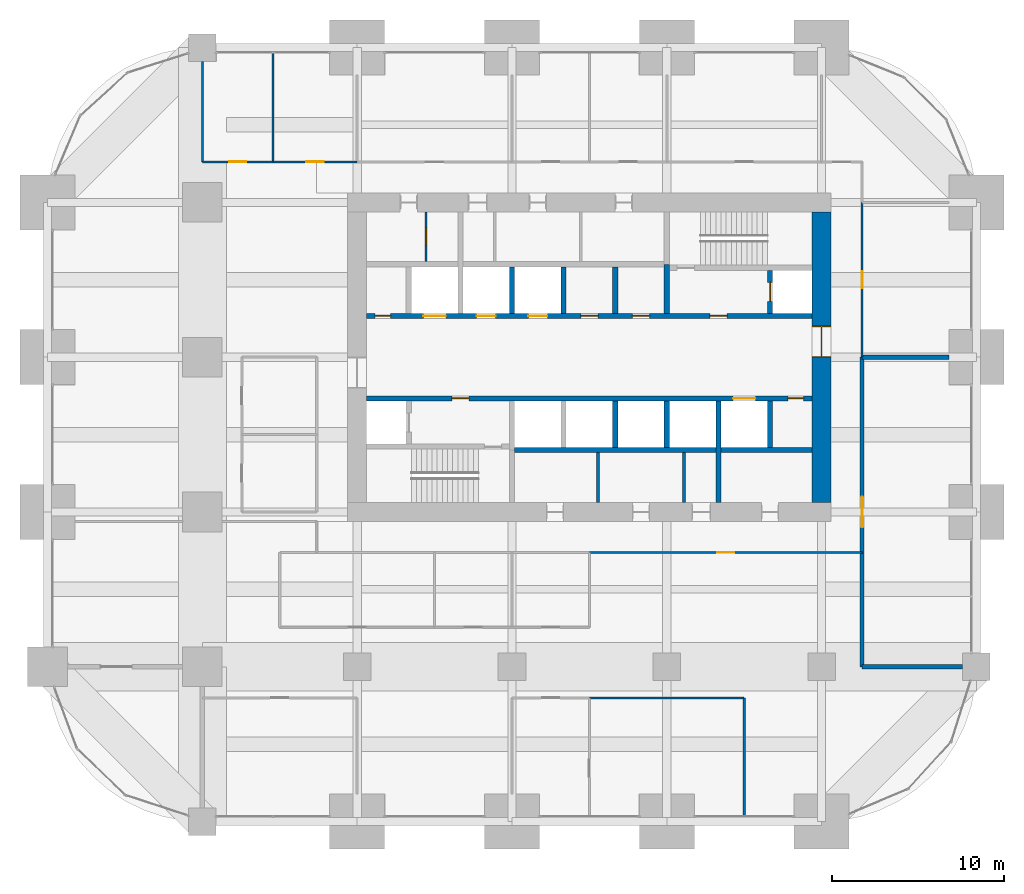
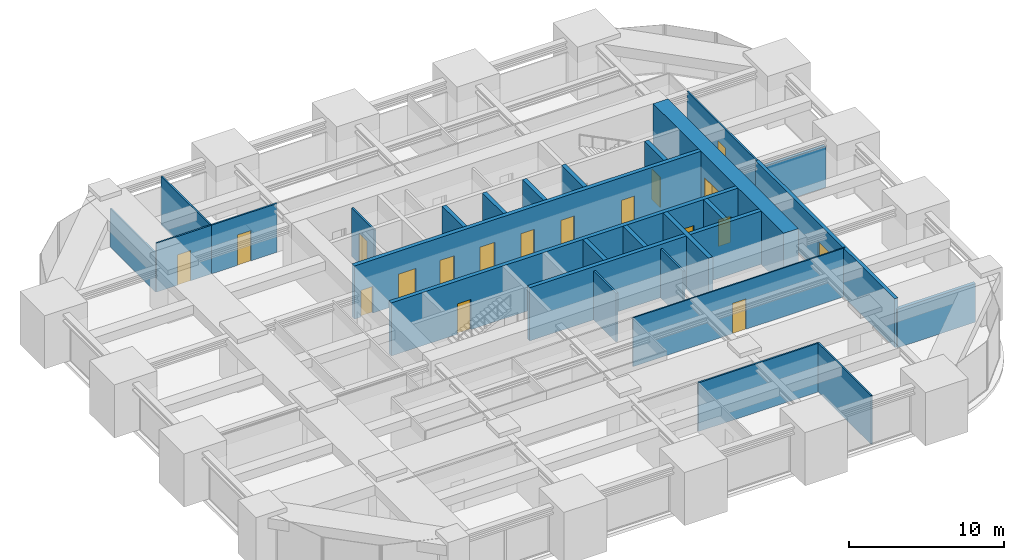
# One storey, part 37 of 39: 27 walls, 18 doors, 18 openings.
"""IFC4 building model written with IfcOpenShell, lengths in metres."""

from ifc_helpers import new_model, si_unit, direction, frame, frame_2d, origin, place, context, subcontext, project, spatial, rectangle, extrude, material, layer, layer_set, type_object, element, fill, save


model = new_model("IFC4")

# Units and contexts
model_context = context("Model", 3, precision=1e-05, world=origin(), true_north=direction((0.0, 1.0)))
body_context = subcontext(model_context, "Body", "Model", "MODEL_VIEW")
ifc_project = project(units=[si_unit("LENGTHUNIT", "METRE"), si_unit("AREAUNIT", "SQUARE_METRE"), si_unit("VOLUMEUNIT", "CUBIC_METRE"), si_unit("PLANEANGLEUNIT", "RADIAN"), si_unit("MASSUNIT", "GRAM", prefix="KILO")], contexts=[model_context])

# Site, building, storey
site_placement = place(None, origin())
site = spatial("IfcSite", under=ifc_project, at=site_placement, CompositionType="ELEMENT")
building_placement = place(site_placement, origin())
building = spatial("IfcBuilding", under=site, at=building_placement, Name="Zorevar Civic Tower", CompositionType="ELEMENT")
storey_placement = place(building_placement, frame((0.0, 0.0, 230.199951171875)))
storey = spatial("IfcBuildingStorey", under=building, at=storey_placement, Name="L56", CompositionType="ELEMENT", Elevation=230.199951171875)

# Walls
ifc_material_1 = material(Name="Twin-stud acoustic wall, gypsum board")
ifc_layer_1 = layer(ifc_material_1, 0.25)
ifc_layer_set_1 = layer_set([ifc_layer_1], Name="Acoustic wall 250")
wall_type_1 = type_object("IfcWallType", Name="Acoustic wall 250", PredefinedType="PARTITIONING", material=ifc_layer_set_1)
wall_1_placement = place(storey_placement, frame((47.35009765625, 9.0, 0.0), z_axis=(0.0, 0.0, 1.0), x_axis=(1.0, 0.0, 0.0)))
element("IfcWall", 1, at=wall_1_placement, inside=storey, type_object=wall_type_1, Name="Acoustic wall 250 L56", PredefinedType="PARTITIONING", context=body_context, shape_type="SweptSolid", body=[
    extrude(rectangle(XDim=5.849853515625, YDim=0.25, at=frame_2d((2.9248046875, 0.0))), origin(), (0.0, 0.0, 1.0), 3.050048828125),
])
wall_2_placement = place(storey_placement, frame((47.35009765625, 27.0, 0.0), z_axis=(0.0, 0.0, 1.0), x_axis=(1.0, 0.0, 0.0)))
element("IfcWall", 2, at=wall_2_placement, inside=storey, type_object=wall_type_1, Name="Acoustic wall 250 L56", PredefinedType="PARTITIONING", context=body_context, shape_type="SweptSolid", body=[
    extrude(rectangle(XDim=5.0498046875, YDim=0.25, at=frame_2d((2.52490234375, 0.0))), origin(), (0.0, 0.0, 1.0), 3.25),
])

# Wall, opening, door
wall_3_placement = place(storey_placement, frame((47.35009765625, 9.0, 0.0), z_axis=(0.0, 0.0, 1.0), x_axis=(0.0, 1.0, 0.0)))
wall_3 = element("IfcWall", 3, at=wall_3_placement, inside=storey, type_object=wall_type_1, Name="Acoustic wall 250 L56", PredefinedType="PARTITIONING", context=body_context, shape_type="SweptSolid", body=[
    extrude(rectangle(XDim=18.0, YDim=0.25, at=frame_2d((9.0, 0.0))), origin(), (0.0, 0.0, 1.0), 3.85009765625),
])
opening_1_placement = place(wall_3_placement, frame((8.10009765625, 0.0, 0.0)))
opening_1 = element("IfcOpeningElement", 4, at=opening_1_placement, cuts=wall_3, Name="Opening L56.34", PredefinedType="OPENING", context=body_context, shape_type="SweptSolid", body=[
    extrude(rectangle(XDim=1.800048828125, YDim=2.39990234375, at=frame_2d((0.89990234375, 1.199951171875))), frame((0.0, 0.135009765625, 0.0), z_axis=(0.0, -1.0, 0.0), x_axis=(1.0, 0.0, 0.0)), (0.0, 0.0, 1.0), 0.27001953125),
])
ifc_material_2 = material(Name="Steel door set", Category="steel")
door_type_1 = type_object("IfcDoorType", Name="Door D2 1800x2400", OperationType="DOUBLE_DOOR_SINGLE_SWING", PredefinedType="DOOR", material=ifc_material_2)
door_1_placement = place(opening_1_placement, origin())
door_1 = element("IfcDoor", 5, at=door_1_placement, inside=storey, type_object=door_type_1, Name="Door L56 D1", OperationType="DOUBLE_DOOR_SINGLE_SWING", OverallHeight=2.39990234375, OverallWidth=1.800048828125, PredefinedType="DOOR", context=body_context, shape_type="SweptSolid", body=[
    extrude(rectangle(XDim=1.800048828125, YDim=2.39990234375, at=frame_2d((0.89990234375, 1.199951171875))), frame((0.0, 0.02490234375, 0.0), z_axis=(0.0, -1.0, 0.0), x_axis=(1.0, 0.0, 0.0)), (0.0, 0.0, 1.0), 0.050048828125),
])
fill(opening_1, door_1)

ifc_material_3 = material(Name="Concrete C50/60", Category="concrete")
ifc_layer_2 = layer(ifc_material_3, 1.10009765625)
ifc_layer_set_2 = layer_set([ifc_layer_2], Name="Core wall 1100")
wall_type_2 = type_object("IfcWallType", Name="Core wall 1100", PredefinedType="SHEAR", material=ifc_layer_set_2)
wall_4_placement = place(storey_placement, frame((45.0, 18.550048828125, 0.0), z_axis=(0.0, 0.0, 1.0), x_axis=(0.0, 1.0, 0.0)))
wall_4 = element("IfcWall", 6, at=wall_4_placement, inside=storey, type_object=wall_type_2, Name="Core wall E L56", PredefinedType="SHEAR", context=body_context, shape_type="SweptSolid", body=[
    extrude(rectangle(XDim=16.89990234375, YDim=1.10009765625, at=frame_2d((8.449951171875, 0.0))), origin(), (0.0, 0.0, 1.0), 4.199951171875),
])
opening_2_placement = place(wall_4_placement, frame((8.449951171875, 0.0, 0.0)))
opening_2 = element("IfcOpeningElement", 7, at=opening_2_placement, cuts=wall_4, Name="Opening L56.02", PredefinedType="OPENING", context=body_context, shape_type="SweptSolid", body=[
    extrude(rectangle(XDim=1.800048828125, YDim=2.39990234375, at=frame_2d((0.89990234375, 1.199951171875))), frame((0.0, 0.56005859375, 0.0), z_axis=(0.0, -1.0, 0.0), x_axis=(1.0, 0.0, 0.0)), (0.0, 0.0, 1.0), 1.1201171875),
])
ifc_material_4 = material(Name="Steel door set", Category="steel")
door_type_2 = type_object("IfcDoorType", Name="Fire door FD2 1800x2400", OperationType="DOUBLE_DOOR_DOUBLE_SWING", PredefinedType="DOOR", material=ifc_material_4)
door_2_placement = place(opening_2_placement, origin())
door_2 = element("IfcDoor", 8, at=door_2_placement, inside=storey, type_object=door_type_2, Name="Door L56 01", OperationType="DOUBLE_DOOR_DOUBLE_SWING", OverallHeight=2.39990234375, OverallWidth=1.800048828125, PredefinedType="DOOR", context=body_context, shape_type="SweptSolid", body=[
    extrude(rectangle(XDim=1.800048828125, YDim=2.39990234375, at=frame_2d((0.89990234375, 1.199951171875))), frame((0.0, 0.030029296875, 0.0), z_axis=(0.0, -1.0, 0.0), x_axis=(1.0, 0.0, 0.0)), (0.0, 0.0, 1.0), 0.06005859375),
    extrude(rectangle(XDim=0.04, YDim=2.39990234375, at=frame_2d((0.02001953125, 1.199951171875))), frame((0.0, 0.5498046875, 0.0), z_axis=(0.0, -1.0, 0.0), x_axis=(1.0, 0.0, 0.0)), (0.0, 0.0, 1.0), 1.099609375),
    extrude(rectangle(XDim=0.04, YDim=2.39990234375, at=frame_2d((1.780029296875, 1.199951171875))), frame((0.0, 0.5498046875, 0.0), z_axis=(0.0, -1.0, 0.0), x_axis=(1.0, 0.0, 0.0)), (0.0, 0.0, 1.0), 1.099609375),
    extrude(rectangle(XDim=1.800048828125, YDim=0.04, at=frame_2d((0.89990234375, 2.3798828125))), frame((0.0, 0.5498046875, 0.0), z_axis=(0.0, -1.0, 0.0), x_axis=(1.0, 0.0, 0.0)), (0.0, 0.0, 1.0), 1.099609375),
])
fill(opening_2, door_2)

ifc_material_5 = material(Name="Laminated glass in black aluminium frame", Category="aluminium")
ifc_layer_3 = layer(ifc_material_5, 0.10009765625)
ifc_layer_set_3 = layer_set([ifc_layer_3], Name="Glazed partition 100")
wall_type_3 = type_object("IfcWallType", Name="Glazed partition 100", PredefinedType="PARTITIONING", material=ifc_layer_set_3)
wall_5_placement = place(storey_placement, frame((31.5, 15.64990234375, 0.0), z_axis=(0.0, 0.0, 1.0), x_axis=(1.0, 0.0, 0.0)))
wall_5 = element("IfcWall", 9, at=wall_5_placement, inside=storey, type_object=wall_type_3, Name="Glazed partition 100 L56", PredefinedType="PARTITIONING", context=body_context, shape_type="SweptSolid", body=[
    extrude(rectangle(XDim=15.85009765625, YDim=0.10009765625, at=frame_2d((7.925048828125, 0.0))), origin(), (0.0, 0.0, 1.0), 3.85009765625),
])
opening_3_placement = place(wall_5_placement, frame((7.425048828125, 0.0, 0.0)))
opening_3 = element("IfcOpeningElement", 10, at=opening_3_placement, cuts=wall_5, Name="Opening L56.23", PredefinedType="OPENING", context=body_context, shape_type="SweptSolid", body=[
    extrude(rectangle(XDim=1.0, YDim=2.39990234375, at=frame_2d((0.5, 1.199951171875))), frame((0.0, 0.06005859375, 0.0), z_axis=(0.0, -1.0, 0.0), x_axis=(1.0, 0.0, 0.0)), (0.0, 0.0, 1.0), 0.1201171875),
])
ifc_material_6 = material(Name="Timber door set", Category="wood")
door_type_3 = type_object("IfcDoorType", Name="Glazed door GD1 1000x2400", OperationType="SINGLE_SWING_LEFT", PredefinedType="DOOR", material=ifc_material_6)
door_3_placement = place(opening_3_placement, origin())
door_3 = element("IfcDoor", 11, at=door_3_placement, inside=storey, type_object=door_type_3, Name="Door L56 D1", OperationType="SINGLE_SWING_RIGHT", OverallHeight=2.39990234375, OverallWidth=1.0, PredefinedType="DOOR", context=body_context, shape_type="SweptSolid", body=[
    extrude(rectangle(XDim=1.0, YDim=2.39990234375, at=frame_2d((0.5, 1.199951171875))), frame((0.0, 0.02001953125, 0.0), z_axis=(0.0, -1.0, 0.0), x_axis=(1.0, 0.0, 0.0)), (0.0, 0.0, 1.0), 0.0400390625),
])
fill(opening_3, door_3)

ifc_material_7 = material(Name="Concrete C40/50", Category="concrete")
ifc_layer_4 = layer(ifc_material_7, 0.300048828125)
ifc_layer_set_4 = layer_set([ifc_layer_4], Name="Inner core wall 300")
wall_type_4 = type_object("IfcWallType", Name="Inner core wall 300", PredefinedType="SHEAR", material=ifc_layer_set_4)
wall_6_placement = place(storey_placement, frame((42.0, 29.550048828125, 0.0), z_axis=(0.0, 0.0, 1.0), x_axis=(0.0, 1.0, 0.0)))
wall_6 = element("IfcWall", 12, at=wall_6_placement, inside=storey, type_object=wall_type_4, Name="Inner core wall N02 L56", PredefinedType="SHEAR", context=body_context, shape_type="SweptSolid", body=[
    extrude(rectangle(XDim=2.5, YDim=0.300048828125, at=frame_2d((1.25, 0.0))), origin(), (0.0, 0.0, 1.0), 4.199951171875),
])
opening_4_placement = place(wall_6_placement, frame((0.699951171875, 0.0, 0.0)))
opening_4 = element("IfcOpeningElement", 13, at=opening_4_placement, cuts=wall_6, Name="Opening L56.FL2", PredefinedType="OPENING", context=body_context, shape_type="SweptSolid", body=[
    extrude(rectangle(XDim=1.10009765625, YDim=2.39990234375, at=frame_2d((0.550048828125, 1.199951171875))), frame((0.0, 0.159912109375, 0.0), z_axis=(0.0, -1.0, 0.0), x_axis=(1.0, 0.0, 0.0)), (0.0, 0.0, 1.0), 0.320068359375),
])
ifc_material_8 = material(Name="Steel door set", Category="steel")
door_type_4 = type_object("IfcDoorType", Name="Firefighting lift landing door LD3 1100x2400", OperationType="DOUBLE_DOOR_SLIDING", PredefinedType="DOOR", material=ifc_material_8)
door_4_placement = place(opening_4_placement, origin())
door_4 = element("IfcDoor", 14, at=door_4_placement, inside=storey, type_object=door_type_4, Name="Landing door FL2 L56", OperationType="DOUBLE_DOOR_SLIDING", OverallHeight=2.39990234375, OverallWidth=1.10009765625, PredefinedType="DOOR", context=body_context, shape_type="SweptSolid", body=[
    extrude(rectangle(XDim=1.10009765625, YDim=2.39990234375, at=frame_2d((0.550048828125, 1.199951171875))), frame((0.0, 0.030029296875, 0.0), z_axis=(0.0, -1.0, 0.0), x_axis=(1.0, 0.0, 0.0)), (0.0, 0.0, 1.0), 0.06005859375),
])
fill(opening_4, door_4)

# Wall, openings, doors
wall_7_placement = place(storey_placement, frame((18.550048828125, 24.60009765625, 0.0), z_axis=(0.0, 0.0, 1.0), x_axis=(1.0, 0.0, 0.0)))
wall_7 = element("IfcWall", 15, at=wall_7_placement, inside=storey, type_object=wall_type_4, Name="Inner core wall S03 L56", PredefinedType="SHEAR", context=body_context, shape_type="SweptSolid", body=[
    extrude(rectangle(XDim=25.89990234375, YDim=0.300048828125, at=frame_2d((12.949951171875, 0.0))), origin(), (0.0, 0.0, 1.0), 4.199951171875),
])
opening_5_placement = place(wall_7_placement, frame((4.949951171875, 0.0, 0.0)))
opening_5 = element("IfcOpeningElement", 16, at=opening_5_placement, cuts=wall_7, Name="Opening L56.13", PredefinedType="OPENING", context=body_context, shape_type="SweptSolid", body=[
    extrude(rectangle(XDim=1.0, YDim=2.39990234375, at=frame_2d((0.5, 1.199951171875))), frame((0.0, 0.159912109375, 0.0), z_axis=(0.0, -1.0, 0.0), x_axis=(1.0, 0.0, 0.0)), (0.0, 0.0, 1.0), 0.320068359375),
])
opening_6_placement = place(wall_7_placement, frame((24.5, 0.0, 0.0)))
opening_6 = element("IfcOpeningElement", 17, at=opening_6_placement, cuts=wall_7, Name="Opening L56.15", PredefinedType="OPENING", context=body_context, shape_type="SweptSolid", body=[
    extrude(rectangle(XDim=0.89990234375, YDim=2.10009765625, at=frame_2d((0.449951171875, 1.050048828125))), frame((0.0, 0.159912109375, 0.0), z_axis=(0.0, -1.0, 0.0), x_axis=(1.0, 0.0, 0.0)), (0.0, 0.0, 1.0), 0.320068359375),
])
opening_7_placement = place(wall_7_placement, frame((21.300048828125, 0.0, 0.0)))
opening_7 = element("IfcOpeningElement", 18, at=opening_7_placement, cuts=wall_7, Name="Opening L56.SL1", PredefinedType="OPENING", context=body_context, shape_type="SweptSolid", body=[
    extrude(rectangle(XDim=1.300048828125, YDim=2.39990234375, at=frame_2d((0.64990234375, 1.199951171875))), frame((0.0, 0.159912109375, 0.0), z_axis=(0.0, -1.0, 0.0), x_axis=(1.0, 0.0, 0.0)), (0.0, 0.0, 1.0), 0.320068359375),
])
ifc_material_9 = material(Name="Steel door set", Category="steel")
door_type_5 = type_object("IfcDoorType", Name="Fire door FD1 1000x2400", OperationType="SINGLE_SWING_LEFT", PredefinedType="DOOR", material=ifc_material_9)
door_5_placement = place(opening_5_placement, origin())
door_5 = element("IfcDoor", 19, at=door_5_placement, inside=storey, type_object=door_type_5, Name="Door L56 12", OperationType="SINGLE_SWING_RIGHT", OverallHeight=2.39990234375, OverallWidth=1.0, PredefinedType="DOOR", context=body_context, shape_type="SweptSolid", body=[
    extrude(rectangle(XDim=1.0, YDim=2.39990234375, at=frame_2d((0.5, 1.199951171875))), frame((0.0, 0.030029296875, 0.0), z_axis=(0.0, -1.0, 0.0), x_axis=(1.0, 0.0, 0.0)), (0.0, 0.0, 1.0), 0.06005859375),
])
fill(opening_5, door_5)
ifc_material_10 = material(Name="Steel door set", Category="steel")
door_type_6 = type_object("IfcDoorType", Name="Landing door LD2 1300x2400", OperationType="DOUBLE_DOOR_SLIDING", PredefinedType="DOOR", material=ifc_material_10)
door_6_placement = place(opening_7_placement, origin())
door_6 = element("IfcDoor", 20, at=door_6_placement, inside=storey, type_object=door_type_6, Name="Landing door SL1 L56", OperationType="DOUBLE_DOOR_SLIDING", OverallHeight=2.39990234375, OverallWidth=1.300048828125, PredefinedType="DOOR", context=body_context, shape_type="SweptSolid", body=[
    extrude(rectangle(XDim=1.300048828125, YDim=2.39990234375, at=frame_2d((0.64990234375, 1.199951171875))), frame((0.0, 0.02001953125, 0.0), z_axis=(0.0, -1.0, 0.0), x_axis=(1.0, 0.0, 0.0)), (0.0, 0.0, 1.0), 0.0400390625),
])
fill(opening_7, door_6)
ifc_material_11 = material(Name="Steel door set", Category="steel")
door_type_7 = type_object("IfcDoorType", Name="Riser door RD1 900x2100", OperationType="SINGLE_SWING_LEFT", PredefinedType="DOOR", material=ifc_material_11)
door_7_placement = place(opening_6_placement, origin())
door_7 = element("IfcDoor", 21, at=door_7_placement, inside=storey, type_object=door_type_7, Name="Door L56 14", OperationType="SINGLE_SWING_RIGHT", OverallHeight=2.10009765625, OverallWidth=0.89990234375, PredefinedType="DOOR", context=body_context, shape_type="SweptSolid", body=[
    extrude(rectangle(XDim=0.89990234375, YDim=2.10009765625, at=frame_2d((0.449951171875, 1.050048828125))), frame((0.0, 0.030029296875, 0.0), z_axis=(0.0, -1.0, 0.0), x_axis=(1.0, 0.0, 0.0)), (0.0, 0.0, 1.0), 0.06005859375),
])
fill(opening_6, door_7)

wall_8_placement = place(storey_placement, frame((18.550048828125, 29.39990234375, 0.0), z_axis=(0.0, 0.0, 1.0), x_axis=(1.0, 0.0, 0.0)))
wall_8 = element("IfcWall", 22, at=wall_8_placement, inside=storey, type_object=wall_type_4, Name="Inner core wall N03 L56", PredefinedType="SHEAR", context=body_context, shape_type="SweptSolid", body=[
    extrude(rectangle(XDim=25.89990234375, YDim=0.300048828125, at=frame_2d((12.949951171875, 0.0))), origin(), (0.0, 0.0, 1.0), 4.199951171875),
])
opening_8_placement = place(wall_8_placement, frame((19.949951171875, 0.0, 0.0)))
opening_8 = element("IfcOpeningElement", 23, at=opening_8_placement, cuts=wall_8, Name="Opening L56.14", PredefinedType="OPENING", context=body_context, shape_type="SweptSolid", body=[
    extrude(rectangle(XDim=1.0, YDim=2.39990234375, at=frame_2d((0.5, 1.199951171875))), frame((0.0, 0.159912109375, 0.0), z_axis=(0.0, -1.0, 0.0), x_axis=(1.0, 0.0, 0.0)), (0.0, 0.0, 1.0), 0.320068359375),
])
opening_9_placement = place(wall_8_placement, frame((0.5, 0.0, 0.0)))
opening_9 = element("IfcOpeningElement", 24, at=opening_9_placement, cuts=wall_8, Name="Opening L56.16", PredefinedType="OPENING", context=body_context, shape_type="SweptSolid", body=[
    extrude(rectangle(XDim=0.89990234375, YDim=2.10009765625, at=frame_2d((0.449951171875, 1.050048828125))), frame((0.0, 0.159912109375, 0.0), z_axis=(0.0, -1.0, 0.0), x_axis=(1.0, 0.0, 0.0)), (0.0, 0.0, 1.0), 0.320068359375),
])
opening_10_placement = place(wall_8_placement, frame((15.449951171875, 0.0, 0.0)))
opening_10 = element("IfcOpeningElement", 25, at=opening_10_placement, cuts=wall_8, Name="Opening L56.37", PredefinedType="OPENING", context=body_context, shape_type="SweptSolid", body=[
    extrude(rectangle(XDim=1.0, YDim=2.39990234375, at=frame_2d((0.5, 1.199951171875))), frame((0.0, 0.159912109375, 0.0), z_axis=(0.0, -1.0, 0.0), x_axis=(1.0, 0.0, 0.0)), (0.0, 0.0, 1.0), 0.320068359375),
])
opening_11_placement = place(wall_8_placement, frame((12.449951171875, 0.0, 0.0)))
opening_11 = element("IfcOpeningElement", 26, at=opening_11_placement, cuts=wall_8, Name="Opening L56.38", PredefinedType="OPENING", context=body_context, shape_type="SweptSolid", body=[
    extrude(rectangle(XDim=1.0, YDim=2.39990234375, at=frame_2d((0.5, 1.199951171875))), frame((0.0, 0.159912109375, 0.0), z_axis=(0.0, -1.0, 0.0), x_axis=(1.0, 0.0, 0.0)), (0.0, 0.0, 1.0), 0.320068359375),
])
opening_12_placement = place(wall_8_placement, frame((9.39990234375, 0.0, 0.0)))
opening_12 = element("IfcOpeningElement", 27, at=opening_12_placement, cuts=wall_8, Name="Opening L56.LH1", PredefinedType="OPENING", context=body_context, shape_type="SweptSolid", body=[
    extrude(rectangle(XDim=1.10009765625, YDim=2.39990234375, at=frame_2d((0.550048828125, 1.199951171875))), frame((0.0, 0.159912109375, 0.0), z_axis=(0.0, -1.0, 0.0), x_axis=(1.0, 0.0, 0.0)), (0.0, 0.0, 1.0), 0.320068359375),
])
opening_13_placement = place(wall_8_placement, frame((6.39990234375, 0.0, 0.0)))
opening_13 = element("IfcOpeningElement", 28, at=opening_13_placement, cuts=wall_8, Name="Opening L56.LH2", PredefinedType="OPENING", context=body_context, shape_type="SweptSolid", body=[
    extrude(rectangle(XDim=1.10009765625, YDim=2.39990234375, at=frame_2d((0.550048828125, 1.199951171875))), frame((0.0, 0.159912109375, 0.0), z_axis=(0.0, -1.0, 0.0), x_axis=(1.0, 0.0, 0.0)), (0.0, 0.0, 1.0), 0.320068359375),
])
opening_14_placement = place(wall_8_placement, frame((3.300048828125, 0.0, 0.0)))
opening_14 = element("IfcOpeningElement", 29, at=opening_14_placement, cuts=wall_8, Name="Opening L56.SL2", PredefinedType="OPENING", context=body_context, shape_type="SweptSolid", body=[
    extrude(rectangle(XDim=1.300048828125, YDim=2.39990234375, at=frame_2d((0.64990234375, 1.199951171875))), frame((0.0, 0.159912109375, 0.0), z_axis=(0.0, -1.0, 0.0), x_axis=(1.0, 0.0, 0.0)), (0.0, 0.0, 1.0), 0.320068359375),
])
door_8_placement = place(opening_8_placement, origin())
door_8 = element("IfcDoor", 30, at=door_8_placement, inside=storey, type_object=door_type_5, Name="Door L56 13", OperationType="SINGLE_SWING_RIGHT", OverallHeight=2.39990234375, OverallWidth=1.0, PredefinedType="DOOR", context=body_context, shape_type="SweptSolid", body=[
    extrude(rectangle(XDim=1.0, YDim=2.39990234375, at=frame_2d((0.5, 1.199951171875))), frame((0.0, 0.030029296875, 0.0), z_axis=(0.0, -1.0, 0.0), x_axis=(1.0, 0.0, 0.0)), (0.0, 0.0, 1.0), 0.06005859375),
])
fill(opening_8, door_8)
door_9_placement = place(opening_10_placement, origin())
door_9 = element("IfcDoor", 31, at=door_9_placement, inside=storey, type_object=door_type_5, Name="Door L56 LM1 shaft room", OperationType="SINGLE_SWING_LEFT", OverallHeight=2.39990234375, OverallWidth=1.0, PredefinedType="DOOR", context=body_context, shape_type="SweptSolid", body=[
    extrude(rectangle(XDim=1.0, YDim=2.39990234375, at=frame_2d((0.5, 1.199951171875))), frame((0.0, 0.030029296875, 0.0), z_axis=(0.0, -1.0, 0.0), x_axis=(1.0, 0.0, 0.0)), (0.0, 0.0, 1.0), 0.06005859375),
])
fill(opening_10, door_9)
door_10_placement = place(opening_11_placement, origin())
door_10 = element("IfcDoor", 32, at=door_10_placement, inside=storey, type_object=door_type_5, Name="Door L56 LM2 shaft room", OperationType="SINGLE_SWING_LEFT", OverallHeight=2.39990234375, OverallWidth=1.0, PredefinedType="DOOR", context=body_context, shape_type="SweptSolid", body=[
    extrude(rectangle(XDim=1.0, YDim=2.39990234375, at=frame_2d((0.5, 1.199951171875))), frame((0.0, 0.030029296875, 0.0), z_axis=(0.0, -1.0, 0.0), x_axis=(1.0, 0.0, 0.0)), (0.0, 0.0, 1.0), 0.06005859375),
])
fill(opening_11, door_10)
ifc_material_12 = material(Name="Steel door set", Category="steel")
door_type_8 = type_object("IfcDoorType", Name="Landing door LD1 1100x2400", OperationType="DOUBLE_DOOR_SLIDING", PredefinedType="DOOR", material=ifc_material_12)
door_11_placement = place(opening_12_placement, origin())
door_11 = element("IfcDoor", 33, at=door_11_placement, inside=storey, type_object=door_type_8, Name="Landing door LH1 L56", OperationType="DOUBLE_DOOR_SLIDING", OverallHeight=2.39990234375, OverallWidth=1.10009765625, PredefinedType="DOOR", context=body_context, shape_type="SweptSolid", body=[
    extrude(rectangle(XDim=1.10009765625, YDim=2.39990234375, at=frame_2d((0.550048828125, 1.199951171875))), frame((0.0, 0.02001953125, 0.0), z_axis=(0.0, -1.0, 0.0), x_axis=(1.0, 0.0, 0.0)), (0.0, 0.0, 1.0), 0.0400390625),
])
fill(opening_12, door_11)
door_12_placement = place(opening_13_placement, origin())
door_12 = element("IfcDoor", 34, at=door_12_placement, inside=storey, type_object=door_type_8, Name="Landing door LH2 L56", OperationType="DOUBLE_DOOR_SLIDING", OverallHeight=2.39990234375, OverallWidth=1.10009765625, PredefinedType="DOOR", context=body_context, shape_type="SweptSolid", body=[
    extrude(rectangle(XDim=1.10009765625, YDim=2.39990234375, at=frame_2d((0.550048828125, 1.199951171875))), frame((0.0, 0.02001953125, 0.0), z_axis=(0.0, -1.0, 0.0), x_axis=(1.0, 0.0, 0.0)), (0.0, 0.0, 1.0), 0.0400390625),
])
fill(opening_13, door_12)
door_13_placement = place(opening_14_placement, origin())
door_13 = element("IfcDoor", 35, at=door_13_placement, inside=storey, type_object=door_type_6, Name="Landing door SL2 L56", OperationType="DOUBLE_DOOR_SLIDING", OverallHeight=2.39990234375, OverallWidth=1.300048828125, PredefinedType="DOOR", context=body_context, shape_type="SweptSolid", body=[
    extrude(rectangle(XDim=1.300048828125, YDim=2.39990234375, at=frame_2d((0.64990234375, 1.199951171875))), frame((0.0, 0.02001953125, 0.0), z_axis=(0.0, -1.0, 0.0), x_axis=(1.0, 0.0, 0.0)), (0.0, 0.0, 1.0), 0.0400390625),
])
fill(opening_14, door_13)
door_14_placement = place(opening_9_placement, origin())
door_14 = element("IfcDoor", 36, at=door_14_placement, inside=storey, type_object=door_type_7, Name="Door L56 15", OperationType="SINGLE_SWING_RIGHT", OverallHeight=2.10009765625, OverallWidth=0.89990234375, PredefinedType="DOOR", context=body_context, shape_type="SweptSolid", body=[
    extrude(rectangle(XDim=0.89990234375, YDim=2.10009765625, at=frame_2d((0.449951171875, 1.050048828125))), frame((0.0, 0.030029296875, 0.0), z_axis=(0.0, -1.0, 0.0), x_axis=(1.0, 0.0, 0.0)), (0.0, 0.0, 1.0), 0.06005859375),
])
fill(opening_9, door_14)

# Walls
wall_9_placement = place(storey_placement, frame((27.14990234375, 21.60009765625, 0.0), z_axis=(0.0, 0.0, 1.0), x_axis=(1.0, 0.0, 0.0)))
element("IfcWall", 37, at=wall_9_placement, inside=storey, type_object=wall_type_4, Name="Inner core wall S04 L56", PredefinedType="SHEAR", context=body_context, shape_type="SweptSolid", body=[
    extrude(rectangle(XDim=17.300048828125, YDim=0.300048828125, at=frame_2d((8.64990234375, 0.0))), origin(), (0.0, 0.0, 1.0), 4.199951171875),
])
for number, where, z_axis, x_axis, name in (
    (38, (33.0, 29.550048828125, 0.0), (0.0, 0.0, 1.0), (0.0, 1.0, 0.0), "Inner core wall N05 L56"),
    (39, (33.0, 21.75, 0.0), (0.0, 0.0, 1.0), (0.0, 1.0, 0.0), "Inner core wall S06 L56"),
    (40, (30.0, 29.550048828125, 0.0), (0.0, 0.0, 1.0), (0.0, 1.0, 0.0), "Inner core wall N06 L56"),
    (41, (36.0, 21.75, 0.0), (0.0, 0.0, 1.0), (0.0, 1.0, 0.0), "Inner core wall S07 L56"),
    (42, (27.0, 29.550048828125, 0.0), (0.0, 0.0, 1.0), (0.0, 1.0, 0.0), "Inner core wall N07 L56"),
):
    element("IfcWall", number, at=place(storey_placement, frame(where, z_axis=z_axis, x_axis=x_axis)), inside=storey, type_object=wall_type_4, Name=name, PredefinedType="SHEAR", context=body_context, shape_type="SweptSolid", body=[
        extrude(rectangle(XDim=2.699951171875, YDim=0.300048828125, at=frame_2d((1.35009765625, 0.0))), origin(), (0.0, 0.0, 1.0), 4.199951171875),
    ])
wall_10_placement = place(storey_placement, frame((39.0, 18.550048828125, 0.0), z_axis=(0.0, 0.0, 1.0), x_axis=(0.0, 1.0, 0.0)))
element("IfcWall", 43, at=wall_10_placement, inside=storey, type_object=wall_type_4, Name="Inner core wall S08 L56", PredefinedType="SHEAR", context=body_context, shape_type="SweptSolid", body=[
    extrude(rectangle(XDim=5.89990234375, YDim=0.300048828125, at=frame_2d((2.949951171875, 0.0))), origin(), (0.0, 0.0, 1.0), 4.199951171875),
])
wall_11_placement = place(storey_placement, frame((42.0, 21.75, 0.0), z_axis=(0.0, 0.0, 1.0), x_axis=(0.0, 1.0, 0.0)))
element("IfcWall", 44, at=wall_11_placement, inside=storey, type_object=wall_type_4, Name="Inner core wall S09 L56", PredefinedType="SHEAR", context=body_context, shape_type="SweptSolid", body=[
    extrude(rectangle(XDim=2.699951171875, YDim=0.300048828125, at=frame_2d((1.35009765625, 0.0))), origin(), (0.0, 0.0, 1.0), 4.199951171875),
])
wall_12_placement = place(storey_placement, frame((36.0, 29.550048828125, 0.0), z_axis=(0.0, 0.0, 1.0), x_axis=(0.0, 1.0, 0.0)))
element("IfcWall", 45, at=wall_12_placement, inside=storey, type_object=wall_type_4, Name="Inner core wall N10 L56", PredefinedType="SHEAR", context=body_context, shape_type="SweptSolid", body=[
    extrude(rectangle(XDim=2.849853515625, YDim=0.300048828125, at=frame_2d((1.4248046875, 0.0))), origin(), (0.0, 0.0, 1.0), 4.199951171875),
])
ifc_material_13 = material(Name="Gypsum board on steel studs", Category="steel")
ifc_layer_5 = layer(ifc_material_13, 0.1201171875)
ifc_layer_set_5 = layer_set([ifc_layer_5], Name="Partition 120")
wall_type_5 = type_object("IfcWallType", Name="Partition 120", PredefinedType="PARTITIONING", material=ifc_layer_set_5)
wall_13_placement = place(storey_placement, frame((31.5, 7.199951171875, 0.0), z_axis=(0.0, 0.0, 1.0), x_axis=(1.0, 0.0, 0.0)))
element("IfcWall", 46, at=wall_13_placement, inside=storey, type_object=wall_type_5, Name="Partition 120 L56", PredefinedType="PARTITIONING", context=body_context, shape_type="SweptSolid", body=[
    extrude(rectangle(XDim=9.0, YDim=0.1201171875, at=frame_2d((4.5, 0.0))), origin(), (0.0, 0.0, 1.0), 3.85009765625),
])

# Wall, opening, door
wall_14_placement = place(storey_placement, frame((9.0, 38.35009765625, 0.0), z_axis=(0.0, 0.0, 1.0), x_axis=(1.0, 0.0, 0.0)))
wall_14 = element("IfcWall", 47, at=wall_14_placement, inside=storey, type_object=wall_type_5, Name="Partition 120 L56", PredefinedType="PARTITIONING", context=body_context, shape_type="SweptSolid", body=[
    extrude(rectangle(XDim=4.10009765625, YDim=0.1201171875, at=frame_2d((2.050048828125, 0.0))), origin(), (0.0, 0.0, 1.0), 3.85009765625),
])
opening_15_placement = place(wall_14_placement, frame((1.550048828125, 0.0, 0.0)))
opening_15 = element("IfcOpeningElement", 48, at=opening_15_placement, cuts=wall_14, Name="Opening L56.24", PredefinedType="OPENING", context=body_context, shape_type="SweptSolid", body=[
    extrude(rectangle(XDim=1.0, YDim=2.39990234375, at=frame_2d((0.5, 1.199951171875))), frame((0.0, 0.070068359375, 0.0), z_axis=(0.0, -1.0, 0.0), x_axis=(1.0, 0.0, 0.0)), (0.0, 0.0, 1.0), 0.14013671875),
])
ifc_material_14 = material(Name="Timber door set", Category="wood")
door_type_9 = type_object("IfcDoorType", Name="Door D1 1000x2400", OperationType="SINGLE_SWING_LEFT", PredefinedType="DOOR", material=ifc_material_14)
door_15_placement = place(opening_15_placement, origin())
door_15 = element("IfcDoor", 49, at=door_15_placement, inside=storey, type_object=door_type_9, Name="Door L56 D1", OperationType="SINGLE_SWING_RIGHT", OverallHeight=2.39990234375, OverallWidth=1.0, PredefinedType="DOOR", context=body_context, shape_type="SweptSolid", body=[
    extrude(rectangle(XDim=1.0, YDim=2.39990234375, at=frame_2d((0.5, 1.199951171875))), frame((0.0, 0.02490234375, 0.0), z_axis=(0.0, -1.0, 0.0), x_axis=(1.0, 0.0, 0.0)), (0.0, 0.0, 1.0), 0.050048828125),
])
fill(opening_15, door_15)

wall_15_placement = place(storey_placement, frame((13.10009765625, 38.35009765625, 0.0), z_axis=(0.0, 0.0, 1.0), x_axis=(1.0, 0.0, 0.0)))
wall_15 = element("IfcWall", 50, at=wall_15_placement, inside=storey, type_object=wall_type_5, Name="Partition 120 L56", PredefinedType="PARTITIONING", context=body_context, shape_type="SweptSolid", body=[
    extrude(rectangle(XDim=4.89990234375, YDim=0.1201171875, at=frame_2d((2.449951171875, 0.0))), origin(), (0.0, 0.0, 1.0), 3.85009765625),
])
opening_16_placement = place(wall_15_placement, frame((1.949951171875, 0.0, 0.0)))
opening_16 = element("IfcOpeningElement", 51, at=opening_16_placement, cuts=wall_15, Name="Opening L56.25", PredefinedType="OPENING", context=body_context, shape_type="SweptSolid", body=[
    extrude(rectangle(XDim=1.0, YDim=2.39990234375, at=frame_2d((0.5, 1.199951171875))), frame((0.0, 0.070068359375, 0.0), z_axis=(0.0, -1.0, 0.0), x_axis=(1.0, 0.0, 0.0)), (0.0, 0.0, 1.0), 0.14013671875),
])
door_16_placement = place(opening_16_placement, origin())
door_16 = element("IfcDoor", 52, at=door_16_placement, inside=storey, type_object=door_type_9, Name="Door L56 D1", OperationType="SINGLE_SWING_RIGHT", OverallHeight=2.39990234375, OverallWidth=1.0, PredefinedType="DOOR", context=body_context, shape_type="SweptSolid", body=[
    extrude(rectangle(XDim=1.0, YDim=2.39990234375, at=frame_2d((0.5, 1.199951171875))), frame((0.0, 0.02490234375, 0.0), z_axis=(0.0, -1.0, 0.0), x_axis=(1.0, 0.0, 0.0)), (0.0, 0.0, 1.0), 0.050048828125),
])
fill(opening_16, door_16)

# Walls
wall_16_placement = place(storey_placement, frame((9.0, 38.35009765625, 0.0), z_axis=(0.0, 0.0, 1.0), x_axis=(0.0, 1.0, 0.0)))
element("IfcWall", 53, at=wall_16_placement, inside=storey, type_object=wall_type_5, Name="Partition 120 L56", PredefinedType="PARTITIONING", context=body_context, shape_type="SweptSolid", body=[
    extrude(rectangle(XDim=5.849853515625, YDim=0.1201171875, at=frame_2d((2.9248046875, 0.0))), origin(), (0.0, 0.0, 1.0), 3.050048828125),
])
wall_17_placement = place(storey_placement, frame((13.10009765625, 38.35009765625, 0.0), z_axis=(0.0, 0.0, 1.0), x_axis=(0.0, 1.0, 0.0)))
element("IfcWall", 54, at=wall_17_placement, inside=storey, type_object=wall_type_5, Name="Partition 120 L56", PredefinedType="PARTITIONING", context=body_context, shape_type="SweptSolid", body=[
    extrude(rectangle(XDim=6.33984375, YDim=0.1201171875, at=frame_2d((3.169921875, 0.0))), origin(), (0.0, 0.0, 1.0), 3.85009765625),
])
wall_18_placement = place(storey_placement, frame((40.5, 0.31005859375, 0.0), z_axis=(0.0, 0.0, 1.0), x_axis=(0.0, 1.0, 0.0)))
element("IfcWall", 55, at=wall_18_placement, inside=storey, type_object=wall_type_5, Name="Partition 120 L56", PredefinedType="PARTITIONING", context=body_context, shape_type="SweptSolid", body=[
    extrude(rectangle(XDim=6.889892578125, YDim=0.1201171875, at=frame_2d((3.44482421875, 0.0))), origin(), (0.0, 0.0, 1.0), 3.85009765625),
])

# Wall, opening, door
wall_19_placement = place(storey_placement, frame((47.35009765625, 27.0, 0.0), z_axis=(0.0, 0.0, 1.0), x_axis=(0.0, 1.0, 0.0)))
wall_19 = element("IfcWall", 56, at=wall_19_placement, inside=storey, type_object=wall_type_5, Name="Partition 120 L56", PredefinedType="PARTITIONING", context=body_context, shape_type="SweptSolid", body=[
    extrude(rectangle(XDim=9.0, YDim=0.1201171875, at=frame_2d((4.5, 0.0))), origin(), (0.0, 0.0, 1.0), 3.85009765625),
])
opening_17_placement = place(wall_19_placement, frame((4.0, 0.0, 0.0)))
opening_17 = element("IfcOpeningElement", 57, at=opening_17_placement, cuts=wall_19, Name="Opening L56.35", PredefinedType="OPENING", context=body_context, shape_type="SweptSolid", body=[
    extrude(rectangle(XDim=1.0, YDim=2.39990234375, at=frame_2d((0.5, 1.199951171875))), frame((0.0, 0.070068359375, 0.0), z_axis=(0.0, -1.0, 0.0), x_axis=(1.0, 0.0, 0.0)), (0.0, 0.0, 1.0), 0.14013671875),
])
door_17_placement = place(opening_17_placement, origin())
door_17 = element("IfcDoor", 58, at=door_17_placement, inside=storey, type_object=door_type_9, Name="Door L56 D1", OperationType="SINGLE_SWING_LEFT", OverallHeight=2.39990234375, OverallWidth=1.0, PredefinedType="DOOR", context=body_context, shape_type="SweptSolid", body=[
    extrude(rectangle(XDim=1.0, YDim=2.39990234375, at=frame_2d((0.5, 1.199951171875))), frame((0.0, 0.02490234375, 0.0), z_axis=(0.0, -1.0, 0.0), x_axis=(1.0, 0.0, 0.0)), (0.0, 0.0, 1.0), 0.050048828125),
])
fill(opening_17, door_17)

wall_20_placement = place(storey_placement, frame((22.0, 32.550048828125, 0.0), z_axis=(0.0, 0.0, 1.0), x_axis=(0.0, 1.0, 0.0)))
wall_20 = element("IfcWall", 59, at=wall_20_placement, inside=storey, type_object=wall_type_5, Name="Partition L56", PredefinedType="PARTITIONING", context=body_context, shape_type="SweptSolid", body=[
    extrude(rectangle(XDim=2.89990234375, YDim=0.1201171875, at=frame_2d((1.449951171875, 0.0))), origin(), (0.0, 0.0, 1.0), 3.85009765625),
])
opening_18_placement = place(wall_20_placement, frame((0.949951171875, 0.0, 0.0)))
opening_18 = element("IfcOpeningElement", 60, at=opening_18_placement, cuts=wall_20, Name="Opening L56.36", PredefinedType="OPENING", context=body_context, shape_type="SweptSolid", body=[
    extrude(rectangle(XDim=1.0, YDim=2.39990234375, at=frame_2d((0.5, 1.199951171875))), frame((0.0, 0.070068359375, 0.0), z_axis=(0.0, -1.0, 0.0), x_axis=(1.0, 0.0, 0.0)), (0.0, 0.0, 1.0), 0.14013671875),
])
door_18_placement = place(opening_18_placement, origin())
door_18 = element("IfcDoor", 61, at=door_18_placement, inside=storey, type_object=door_type_5, Name="Door L56 EN", OperationType="SINGLE_SWING_LEFT", OverallHeight=2.39990234375, OverallWidth=1.0, PredefinedType="DOOR", context=body_context, shape_type="SweptSolid", body=[
    extrude(rectangle(XDim=1.0, YDim=2.39990234375, at=frame_2d((0.5, 1.199951171875))), frame((0.0, 0.030029296875, 0.0), z_axis=(0.0, -1.0, 0.0), x_axis=(1.0, 0.0, 0.0)), (0.0, 0.0, 1.0), 0.06005859375),
])
fill(opening_18, door_18)

# Walls
ifc_material_15 = material(Name="Gypsum board on steel studs, moisture resistant", Category="steel")
ifc_layer_6 = layer(ifc_material_15, 0.14990234375)
ifc_layer_set_6 = layer_set([ifc_layer_6], Name="WC partition 150")
wall_type_6 = type_object("IfcWallType", Name="WC partition 150", PredefinedType="PARTITIONING", material=ifc_layer_set_6)
for number, where, z_axis, x_axis, name in (
    (62, (32.0, 18.550048828125, 0.0), (0.0, 0.0, 1.0), (0.0, 1.0, 0.0), "WC partition L56"),
    (63, (37.0, 18.550048828125, 0.0), (0.0, 0.0, 1.0), (0.0, 1.0, 0.0), "WC partition L56"),
):
    element("IfcWall", number, at=place(storey_placement, frame(where, z_axis=z_axis, x_axis=x_axis)), inside=storey, type_object=wall_type_6, Name=name, PredefinedType="PARTITIONING", context=body_context, shape_type="SweptSolid", body=[
        extrude(rectangle(XDim=2.89990234375, YDim=0.14990234375, at=frame_2d((1.449951171875, 0.0))), origin(), (0.0, 0.0, 1.0), 3.85009765625),
    ])

save(model, "model.ifc")
